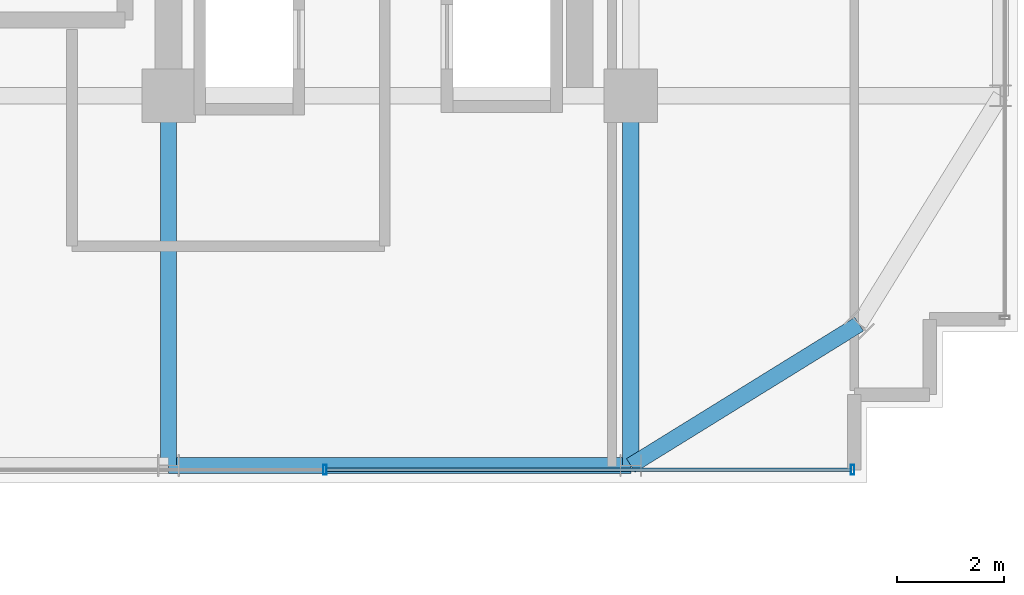
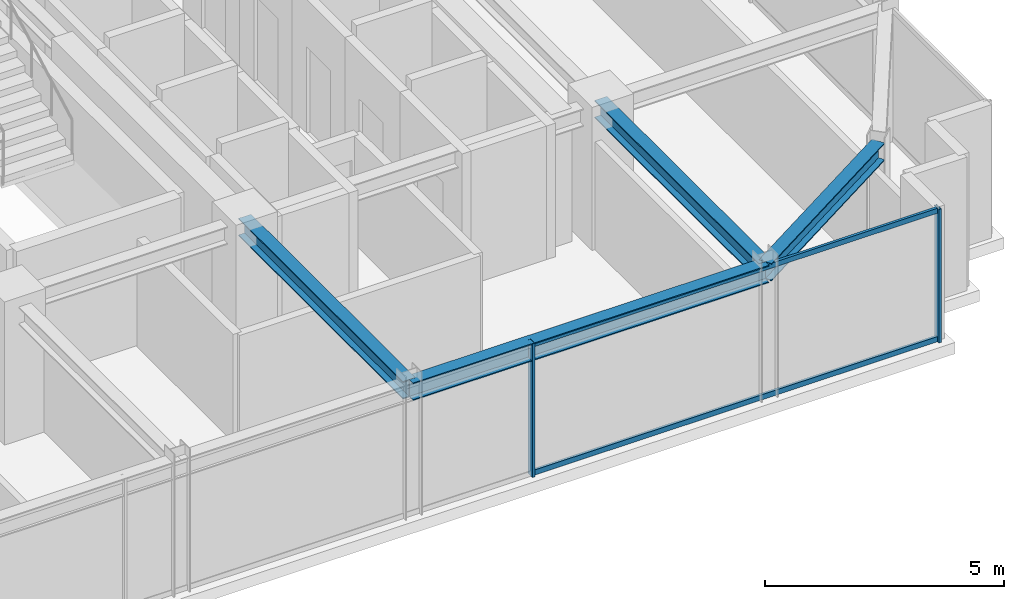
# One storey, part 12 of 34: 4 beams, 4 members, 1 element without a shape of its own.
"""IFC4 building model written with IfcOpenShell, lengths in metres."""

from ifc_helpers import new_model, si_unit, direction, frame, origin, origin_2d, place, context, subcontext, project, spatial, hollow_rectangle, i_section, extrude, source, transform, mapped, material, material_profile, profile_set, type_object, element, aggregate, save


model = new_model("IFC4")

# Units and contexts
model_context = context("Model", 3, precision=1e-05, world=origin(), true_north=direction((0.0, 1.0)))
body_context = subcontext(model_context, "Body", "Model", "MODEL_VIEW")
ifc_project = project(units=[si_unit("LENGTHUNIT", "METRE"), si_unit("AREAUNIT", "SQUARE_METRE"), si_unit("VOLUMEUNIT", "CUBIC_METRE"), si_unit("PLANEANGLEUNIT", "RADIAN"), si_unit("MASSUNIT", "GRAM", prefix="KILO")], contexts=[model_context])

# Site, building, storey
site_placement = place(None, origin())
site = spatial("IfcSite", under=ifc_project, at=site_placement, CompositionType="ELEMENT")
building_placement = place(site_placement, origin())
building = spatial("IfcBuilding", under=site, at=building_placement, Name="Nahalor Promenade Grand Hotel", CompositionType="ELEMENT")
storey_placement = place(building_placement, frame((0.0, 0.0, 238.199951171875)))
storey = spatial("IfcBuildingStorey", under=building, at=storey_placement, Name="L61", CompositionType="ELEMENT", Elevation=238.199951171875)

# Beams
ifc_material_1 = material(Name="Steel S355JR", Category="steel")
ifc_material_profile_1 = material_profile(ifc_material_1, i_section(OverallWidth=0.3, OverallDepth=0.45, WebThickness=0.014, FlangeThickness=0.026, at=origin_2d()), Name="HEB 450")
ifc_profile_set_1 = profile_set([ifc_material_profile_1], Name="Steel S355JR")
beam_type_1 = type_object("IfcBeamType", Name="Beam-Spandrel-HEB450", PredefinedType="SPANDREL", material=ifc_profile_set_1)
shared_shape_1 = source(origin(), body_context, "Body", "SweptSolid", [
    extrude(i_section(OverallWidth=0.3, OverallDepth=0.45, WebThickness=0.014, FlangeThickness=0.026, at=origin_2d()), origin(), (0.0, 0.0, 1.0), 8.60009765625),
])
beam_1_placement = place(storey_placement, frame((8.39990234375, -23.8798828125, 3.18505859375), z_axis=(1.0, 0.0, 0.0), x_axis=(0.0, 1.0, 0.0)))
element("IfcBeam", 1, at=beam_1_placement, inside=storey, type_object=beam_type_1, Name="BM-L61-SP-S-4", PredefinedType="SPANDREL", context=body_context, shape_type="MappedRepresentation", body=[
    mapped(shared_shape_1, transform((0.0, 0.0, 0.0), scale=1.0)),
])
shared_shape_2 = source(origin(), body_context, "Body", "SweptSolid", [
    extrude(i_section(OverallWidth=0.3, OverallDepth=0.45, WebThickness=0.014, FlangeThickness=0.026, at=origin_2d()), origin(), (0.0, 0.0, 1.0), 4.997802734375),
])
beam_2_placement = place(storey_placement, frame((17.0, -23.8798828125, 3.18505859375), z_axis=(0.850360908404, 0.526199891161, 0.0), x_axis=(-0.526199891161, 0.850360908404, 0.0)))
element("IfcBeam", 2, at=beam_2_placement, inside=storey, type_object=beam_type_1, Name="BM-L61-SPC-SE-1", PredefinedType="SPANDREL", context=body_context, shape_type="MappedRepresentation", body=[
    mapped(shared_shape_2, transform((0.0, 0.0, 0.0), scale=1.0)),
])
ifc_material_profile_2 = material_profile(ifc_material_1, i_section(OverallWidth=0.3, OverallDepth=0.45, WebThickness=0.014, FlangeThickness=0.026, at=origin_2d()), Name="HEB 450")
ifc_profile_set_2 = profile_set([ifc_material_profile_2], Name="Steel S355JR")
beam_type_2 = type_object("IfcBeamType", Name="Beam-Girder-HEB450", PredefinedType="BEAM", material=ifc_profile_set_2)
shared_shape_3 = source(origin(), body_context, "Body", "SweptSolid", [
    extrude(i_section(OverallWidth=0.3, OverallDepth=0.45, WebThickness=0.014, FlangeThickness=0.026, at=origin_2d()), origin(), (0.0, 0.0, 1.0), 6.8798828125),
])
for number, where, z_axis, x_axis, name in (
    (3, (8.39990234375, -23.8798828125, 3.18505859375), (0.0, 1.0, 0.0), (-1.0, 0.0, 0.0), "BM-L61-GY-4-0"),
    (4, (17.0, -23.8798828125, 3.18505859375), (0.0, 1.0, 0.0), (-1.0, 0.0, 0.0), "BM-L61-GY-5-0"),
):
    element("IfcBeam", number, at=place(storey_placement, frame(where, z_axis=z_axis, x_axis=x_axis)), inside=storey, type_object=beam_type_2, Name=name, PredefinedType="BEAM", context=body_context, shape_type="MappedRepresentation", body=[
        mapped(shared_shape_3, transform((0.0, 0.0, 0.0), scale=1.0)),
    ])

# Curtain wall, members
ifc_material_2 = material(Name="Anodised Bronze Aluminium EN AW-6063 T6", Category="aluminium")
curtain_wall_type = type_object("IfcCurtainWallType", Name="CW2 Typical Hotel Flush Bronze Unitised Curtain Wall", PredefinedType="USERDEFINED", material=ifc_material_2)
curtain_wall_placement = place(storey_placement, origin())
curtain_wall = element("IfcCurtainWall", 5, at=curtain_wall_placement, inside=storey, type_object=curtain_wall_type, Name="L61 Curtain Wall CW-L61-S-3", ObjectType="UNITISED_CURTAIN_WALL", PredefinedType="USERDEFINED")
ifc_material_profile_3 = material_profile(ifc_material_2, hollow_rectangle(XDim=0.065, YDim=0.18, WallThickness=0.004, at=origin_2d()), Name="CWM 65x180x4")
ifc_profile_set_3 = profile_set([ifc_material_profile_3], Name="Anodised Bronze Aluminium EN AW-6063 T6")
member_type_1 = type_object("IfcMemberType", Name="CWM2 Typical Bronze Mullion 65x180", PredefinedType="MULLION", material=ifc_profile_set_3)
shared_shape_4 = source(origin(), body_context, "Body", "SweptSolid", [
    extrude(hollow_rectangle(XDim=0.065, YDim=0.18, WallThickness=0.004, at=origin_2d()), origin(), (0.0, 0.0, 1.0), 3.41015625),
])
member_1_placement = place(storey_placement, frame((11.306640625, -23.9599609375, 0.0), z_axis=(0.0, 0.0, 1.0), x_axis=(1.0, 0.0, 0.0)))
member_1 = element("IfcMember", 6, at=member_1_placement, type_object=member_type_1, Name="CW-L61-S-3 Mullion 2", PredefinedType="MULLION", context=body_context, shape_type="MappedRepresentation", body=[
    mapped(shared_shape_4, transform((0.0, 0.0, 0.0), scale=1.0)),
])
member_2_placement = place(storey_placement, frame((21.12744140625, -23.9599609375, 0.0), z_axis=(0.0, 0.0, 1.0), x_axis=(1.0, 0.0, 0.0)))
member_2 = element("IfcMember", 7, at=member_2_placement, type_object=member_type_1, Name="CW-L61-S-3 Mullion 3", PredefinedType="MULLION", context=body_context, shape_type="MappedRepresentation", body=[
    mapped(shared_shape_4, transform((0.0, 0.0, 0.0), scale=1.0)),
])
ifc_material_profile_4 = material_profile(ifc_material_2, hollow_rectangle(XDim=0.065, YDim=0.13, WallThickness=0.004, at=origin_2d()), Name="CWT 65x130x4")
ifc_profile_set_4 = profile_set([ifc_material_profile_4], Name="Anodised Bronze Aluminium EN AW-6063 T6")
member_type_2 = type_object("IfcMemberType", Name="CWT2 Typical Bronze Transom 65x130", PredefinedType="USERDEFINED", material=ifc_profile_set_4)
shared_shape_5 = source(origin(), body_context, "Body", "SweptSolid", [
    extrude(hollow_rectangle(XDim=0.065, YDim=0.13, WallThickness=0.004, at=origin_2d()), origin(), (0.0, 0.0, 1.0), 9.755859375),
])
member_3_placement = place(storey_placement, frame((11.339111328125, -23.9599609375, 0.06494140625), z_axis=(1.0, 0.0, 0.0), x_axis=(0.0, 1.0, 0.0)))
member_3 = element("IfcMember", 8, at=member_3_placement, type_object=member_type_2, Name="CW-L61-S-3 Transom 2-0", ObjectType="TRANSOM", PredefinedType="USERDEFINED", context=body_context, shape_type="MappedRepresentation", body=[
    mapped(shared_shape_5, transform((0.0, 0.0, 0.0), scale=1.0)),
])
member_4_placement = place(storey_placement, frame((11.339111328125, -23.9599609375, 3.344970703125), z_axis=(1.0, 0.0, 0.0), x_axis=(0.0, 1.0, 0.0)))
member_4 = element("IfcMember", 9, at=member_4_placement, type_object=member_type_2, Name="CW-L61-S-3 Transom 2-1", ObjectType="TRANSOM", PredefinedType="USERDEFINED", context=body_context, shape_type="MappedRepresentation", body=[
    mapped(shared_shape_5, transform((0.0, 0.0, 0.0), scale=1.0)),
])
aggregate(curtain_wall, [member_1, member_2, member_3, member_4])

save(model, "model.ifc")
